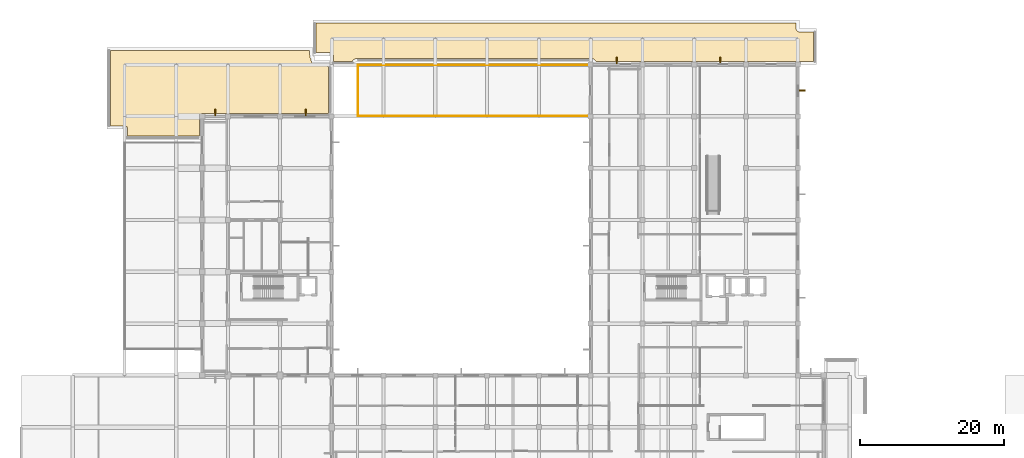
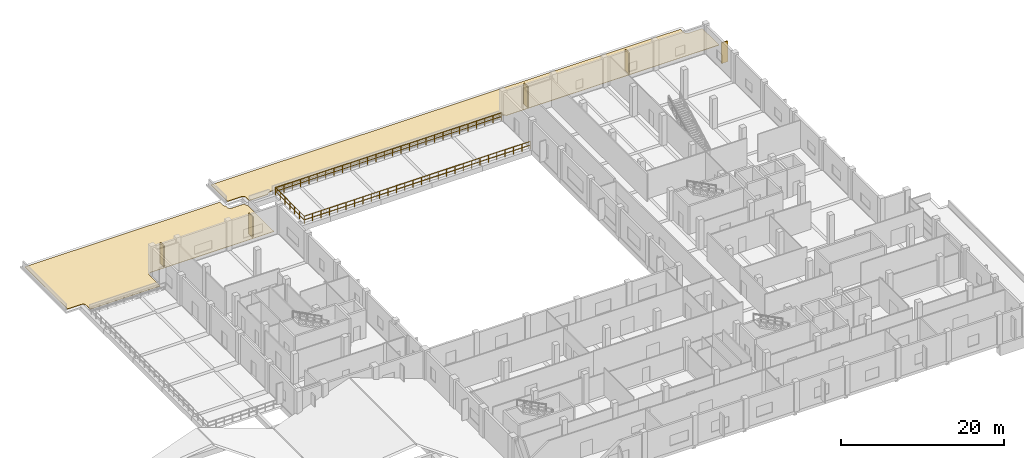
# One storey, part 24 of 24: 5 shading devices, 3 railings, 2 coverings.
"""IFC4 building model written with IfcOpenShell, lengths in metres."""

from ifc_helpers import new_model, si_unit, direction, frame, origin, origin_2d, place, context, subcontext, project, spatial, polyline, rectangle, circle, outline, extrude, material, layer, layer_set, type_object, element, save


model = new_model("IFC4")

# Units and contexts
model_context = context("Model", 3, precision=1e-05, world=origin(), true_north=direction((0.0, 1.0)))
body_context = subcontext(model_context, "Body", "Model", "MODEL_VIEW")
ifc_project = project(units=[si_unit("LENGTHUNIT", "METRE"), si_unit("AREAUNIT", "SQUARE_METRE"), si_unit("VOLUMEUNIT", "CUBIC_METRE"), si_unit("PLANEANGLEUNIT", "RADIAN"), si_unit("MASSUNIT", "GRAM", prefix="KILO")], contexts=[model_context])

# Site, building, storey
site_placement = place(None, origin())
site = spatial("IfcSite", under=ifc_project, at=site_placement, CompositionType="ELEMENT")
building_placement = place(site_placement, origin())
building = spatial("IfcBuilding", under=site, at=building_placement, Name="Seraya Terrace Polytechnic", CompositionType="ELEMENT")
storey_placement = place(building_placement, frame((0.0, 0.0, 18.89990234375)))
storey = spatial("IfcBuildingStorey", under=building, at=storey_placement, Name="L04", CompositionType="ELEMENT", Elevation=18.89990234375)

# Shading devices
ifc_material_1 = material(Name="Precast concrete C40/50", Category="concrete")
shading_device_type = type_object("IfcShadingDeviceType", Name="BS-F1", PredefinedType="JALOUSIE", material=ifc_material_1)
for number, where, z_axis, x_axis, name in (
    (1, (82.800048828125, 72.570068359375, 0.449951171875), (0.0, 0.0, 1.0), (0.0, 1.0, 0.0), "Precast concrete brise-soleil fin L04"),
    (2, (97.199951171875, 72.570068359375, 0.449951171875), (0.0, 0.0, 1.0), (0.0, 1.0, 0.0), "Precast concrete brise-soleil fin L04"),
    (3, (108.570068359375, 68.39990234375, 0.449951171875), (0.0, 0.0, 1.0), (1.0, 0.0, 0.0), "Precast concrete brise-soleil fin L04"),
    (4, (27.0, 65.3701171875, 0.449951171875), (0.0, 0.0, 1.0), (0.0, 1.0, 0.0), "Precast concrete brise-soleil fin L04"),
    (5, (39.60009765625, 65.3701171875, 0.449951171875), (0.0, 0.0, 1.0), (0.0, 1.0, 0.0), "Precast concrete brise-soleil fin L04"),
):
    element("IfcShadingDevice", number, at=place(storey_placement, frame(where, z_axis=z_axis, x_axis=x_axis)), inside=storey, type_object=shading_device_type, Name=name, PredefinedType="JALOUSIE", context=body_context, shape_type="SweptSolid", body=[
        extrude(rectangle(XDim=0.89990234375, YDim=0.14990234375, at=origin_2d()), origin(), (0.0, 0.0, 1.0), 3.10009765625),
    ])

# Railings
ifc_material_2 = material(Name="Steel S355J2", Category="steel")
railing_type = type_object("IfcRailingType", Name="GR-01", PredefinedType="GUARDRAIL", material=ifc_material_2)
railing_1_placement = place(storey_placement, frame((46.860107421875, 64.860107421875, 0.0)))
element("IfcRailing", 6, at=railing_1_placement, inside=storey, type_object=railing_type, Name="Terrace perimeter guardrail TERR-L04-NW S1", PredefinedType="GUARDRAIL", context=body_context, shape_type="SweptSolid", body=[
    extrude(circle(Radius=0.02392578125, at=origin_2d()), frame((0.0, 0.0, 1.10595703125), z_axis=(1.0, 0.0, 0.0), x_axis=(0.0, 1.0, 0.0)), (0.0, 0.0, 1.0), 32.099853515625),
    extrude(circle(Radius=0.02392578125, at=origin_2d()), frame((0.0, 0.0, 0.550048828125), z_axis=(1.0, 0.0, 0.0), x_axis=(0.0, 1.0, 0.0)), (0.0, 0.0, 1.0), 32.099853515625),
    extrude(circle(Radius=0.02099609375, at=origin_2d()), origin(), (0.0, 0.0, 1.0), 1.081787109375),
    extrude(circle(Radius=0.02099609375, at=origin_2d()), frame((1.18896484375, 0.0, 0.0)), (0.0, 0.0, 1.0), 1.081787109375),
    extrude(circle(Radius=0.02099609375, at=origin_2d()), frame((2.377685546875, 0.0, 0.0)), (0.0, 0.0, 1.0), 1.081787109375),
    extrude(circle(Radius=0.02099609375, at=origin_2d()), frame((3.566650390625, 0.0, 0.0)), (0.0, 0.0, 1.0), 1.081787109375),
    extrude(circle(Radius=0.02099609375, at=origin_2d()), frame((4.755615234375, 0.0, 0.0)), (0.0, 0.0, 1.0), 1.081787109375),
    extrude(circle(Radius=0.02099609375, at=origin_2d()), frame((5.9443359375, 0.0, 0.0)), (0.0, 0.0, 1.0), 1.081787109375),
    extrude(circle(Radius=0.02099609375, at=origin_2d()), frame((7.13330078125, 0.0, 0.0)), (0.0, 0.0, 1.0), 1.081787109375),
    extrude(circle(Radius=0.02099609375, at=origin_2d()), frame((8.322265625, 0.0, 0.0)), (0.0, 0.0, 1.0), 1.081787109375),
    extrude(circle(Radius=0.02099609375, at=origin_2d()), frame((9.510986328125, 0.0, 0.0)), (0.0, 0.0, 1.0), 1.081787109375),
    extrude(circle(Radius=0.02099609375, at=origin_2d()), frame((10.699951171875, 0.0, 0.0)), (0.0, 0.0, 1.0), 1.081787109375),
    extrude(circle(Radius=0.02099609375, at=origin_2d()), frame((11.888916015625, 0.0, 0.0)), (0.0, 0.0, 1.0), 1.081787109375),
    extrude(circle(Radius=0.02099609375, at=origin_2d()), frame((13.07763671875, 0.0, 0.0)), (0.0, 0.0, 1.0), 1.081787109375),
    extrude(circle(Radius=0.02099609375, at=origin_2d()), frame((14.2666015625, 0.0, 0.0)), (0.0, 0.0, 1.0), 1.081787109375),
    extrude(circle(Radius=0.02099609375, at=origin_2d()), frame((15.45556640625, 0.0, 0.0)), (0.0, 0.0, 1.0), 1.081787109375),
    extrude(circle(Radius=0.02099609375, at=origin_2d()), frame((16.644287109375, 0.0, 0.0)), (0.0, 0.0, 1.0), 1.081787109375),
    extrude(circle(Radius=0.02099609375, at=origin_2d()), frame((17.833251953125, 0.0, 0.0)), (0.0, 0.0, 1.0), 1.081787109375),
    extrude(circle(Radius=0.02099609375, at=origin_2d()), frame((19.022216796875, 0.0, 0.0)), (0.0, 0.0, 1.0), 1.081787109375),
    extrude(circle(Radius=0.02099609375, at=origin_2d()), frame((20.2109375, 0.0, 0.0)), (0.0, 0.0, 1.0), 1.081787109375),
    extrude(circle(Radius=0.02099609375, at=origin_2d()), frame((21.39990234375, 0.0, 0.0)), (0.0, 0.0, 1.0), 1.081787109375),
    extrude(circle(Radius=0.02099609375, at=origin_2d()), frame((22.5888671875, 0.0, 0.0)), (0.0, 0.0, 1.0), 1.081787109375),
    extrude(circle(Radius=0.02099609375, at=origin_2d()), frame((23.777587890625, 0.0, 0.0)), (0.0, 0.0, 1.0), 1.081787109375),
    extrude(circle(Radius=0.02099609375, at=origin_2d()), frame((24.966552734375, 0.0, 0.0)), (0.0, 0.0, 1.0), 1.081787109375),
    extrude(circle(Radius=0.02099609375, at=origin_2d()), frame((26.155517578125, 0.0, 0.0)), (0.0, 0.0, 1.0), 1.081787109375),
    extrude(circle(Radius=0.02099609375, at=origin_2d()), frame((27.34423828125, 0.0, 0.0)), (0.0, 0.0, 1.0), 1.081787109375),
    extrude(circle(Radius=0.02099609375, at=origin_2d()), frame((28.533203125, 0.0, 0.0)), (0.0, 0.0, 1.0), 1.081787109375),
    extrude(circle(Radius=0.02099609375, at=origin_2d()), frame((29.72216796875, 0.0, 0.0)), (0.0, 0.0, 1.0), 1.081787109375),
    extrude(circle(Radius=0.02099609375, at=origin_2d()), frame((30.910888671875, 0.0, 0.0)), (0.0, 0.0, 1.0), 1.081787109375),
    extrude(circle(Radius=0.02099609375, at=origin_2d()), frame((32.099853515625, 0.0, 0.0)), (0.0, 0.0, 1.0), 1.081787109375),
])
railing_2_placement = place(storey_placement, frame((78.9599609375, 71.93994140625, 0.0)))
element("IfcRailing", 7, at=railing_2_placement, inside=storey, type_object=railing_type, Name="Terrace perimeter guardrail TERR-L04-NW N1", PredefinedType="GUARDRAIL", context=body_context, shape_type="SweptSolid", body=[
    extrude(circle(Radius=0.02392578125, at=origin_2d()), frame((0.0, 0.0, 1.10595703125), z_axis=(-1.0, 0.0, 0.0), x_axis=(0.0, -1.0, 0.0)), (0.0, 0.0, 1.0), 32.099853515625),
    extrude(circle(Radius=0.02392578125, at=origin_2d()), frame((0.0, 0.0, 0.550048828125), z_axis=(-1.0, 0.0, 0.0), x_axis=(0.0, -1.0, 0.0)), (0.0, 0.0, 1.0), 32.099853515625),
    extrude(circle(Radius=0.02099609375, at=origin_2d()), origin(), (0.0, 0.0, 1.0), 1.081787109375),
    extrude(circle(Radius=0.02099609375, at=origin_2d()), frame((-1.18896484375, 0.0, 0.0)), (0.0, 0.0, 1.0), 1.081787109375),
    extrude(circle(Radius=0.02099609375, at=origin_2d()), frame((-2.377685546875, 0.0, 0.0)), (0.0, 0.0, 1.0), 1.081787109375),
    extrude(circle(Radius=0.02099609375, at=origin_2d()), frame((-3.566650390625, 0.0, 0.0)), (0.0, 0.0, 1.0), 1.081787109375),
    extrude(circle(Radius=0.02099609375, at=origin_2d()), frame((-4.755615234375, 0.0, 0.0)), (0.0, 0.0, 1.0), 1.081787109375),
    extrude(circle(Radius=0.02099609375, at=origin_2d()), frame((-5.9443359375, 0.0, 0.0)), (0.0, 0.0, 1.0), 1.081787109375),
    extrude(circle(Radius=0.02099609375, at=origin_2d()), frame((-7.13330078125, 0.0, 0.0)), (0.0, 0.0, 1.0), 1.081787109375),
    extrude(circle(Radius=0.02099609375, at=origin_2d()), frame((-8.322265625, 0.0, 0.0)), (0.0, 0.0, 1.0), 1.081787109375),
    extrude(circle(Radius=0.02099609375, at=origin_2d()), frame((-9.510986328125, 0.0, 0.0)), (0.0, 0.0, 1.0), 1.081787109375),
    extrude(circle(Radius=0.02099609375, at=origin_2d()), frame((-10.699951171875, 0.0, 0.0)), (0.0, 0.0, 1.0), 1.081787109375),
    extrude(circle(Radius=0.02099609375, at=origin_2d()), frame((-11.888916015625, 0.0, 0.0)), (0.0, 0.0, 1.0), 1.081787109375),
    extrude(circle(Radius=0.02099609375, at=origin_2d()), frame((-13.07763671875, 0.0, 0.0)), (0.0, 0.0, 1.0), 1.081787109375),
    extrude(circle(Radius=0.02099609375, at=origin_2d()), frame((-14.2666015625, 0.0, 0.0)), (0.0, 0.0, 1.0), 1.081787109375),
    extrude(circle(Radius=0.02099609375, at=origin_2d()), frame((-15.45556640625, 0.0, 0.0)), (0.0, 0.0, 1.0), 1.081787109375),
    extrude(circle(Radius=0.02099609375, at=origin_2d()), frame((-16.644287109375, 0.0, 0.0)), (0.0, 0.0, 1.0), 1.081787109375),
    extrude(circle(Radius=0.02099609375, at=origin_2d()), frame((-17.833251953125, 0.0, 0.0)), (0.0, 0.0, 1.0), 1.081787109375),
    extrude(circle(Radius=0.02099609375, at=origin_2d()), frame((-19.022216796875, 0.0, 0.0)), (0.0, 0.0, 1.0), 1.081787109375),
    extrude(circle(Radius=0.02099609375, at=origin_2d()), frame((-20.2109375, 0.0, 0.0)), (0.0, 0.0, 1.0), 1.081787109375),
    extrude(circle(Radius=0.02099609375, at=origin_2d()), frame((-21.39990234375, 0.0, 0.0)), (0.0, 0.0, 1.0), 1.081787109375),
    extrude(circle(Radius=0.02099609375, at=origin_2d()), frame((-22.5888671875, 0.0, 0.0)), (0.0, 0.0, 1.0), 1.081787109375),
    extrude(circle(Radius=0.02099609375, at=origin_2d()), frame((-23.777587890625, 0.0, 0.0)), (0.0, 0.0, 1.0), 1.081787109375),
    extrude(circle(Radius=0.02099609375, at=origin_2d()), frame((-24.966552734375, 0.0, 0.0)), (0.0, 0.0, 1.0), 1.081787109375),
    extrude(circle(Radius=0.02099609375, at=origin_2d()), frame((-26.155517578125, 0.0, 0.0)), (0.0, 0.0, 1.0), 1.081787109375),
    extrude(circle(Radius=0.02099609375, at=origin_2d()), frame((-27.34423828125, 0.0, 0.0)), (0.0, 0.0, 1.0), 1.081787109375),
    extrude(circle(Radius=0.02099609375, at=origin_2d()), frame((-28.533203125, 0.0, 0.0)), (0.0, 0.0, 1.0), 1.081787109375),
    extrude(circle(Radius=0.02099609375, at=origin_2d()), frame((-29.72216796875, 0.0, 0.0)), (0.0, 0.0, 1.0), 1.081787109375),
    extrude(circle(Radius=0.02099609375, at=origin_2d()), frame((-30.910888671875, 0.0, 0.0)), (0.0, 0.0, 1.0), 1.081787109375),
    extrude(circle(Radius=0.02099609375, at=origin_2d()), frame((-32.099853515625, 0.0, 0.0)), (0.0, 0.0, 1.0), 1.081787109375),
])
railing_3_placement = place(storey_placement, frame((46.860107421875, 71.93994140625, 0.0)))
element("IfcRailing", 8, at=railing_3_placement, inside=storey, type_object=railing_type, Name="Terrace perimeter guardrail TERR-L04-NW W1", PredefinedType="GUARDRAIL", context=body_context, shape_type="SweptSolid", body=[
    extrude(circle(Radius=0.02392578125, at=origin_2d()), frame((0.0, 0.0, 1.10595703125), z_axis=(0.0, -1.0, 0.0), x_axis=(1.0, 0.0, 0.0)), (0.0, 0.0, 1.0), 7.079833984375),
    extrude(circle(Radius=0.02392578125, at=origin_2d()), frame((0.0, 0.0, 0.550048828125), z_axis=(0.0, -1.0, 0.0), x_axis=(1.0, 0.0, 0.0)), (0.0, 0.0, 1.0), 7.079833984375),
    extrude(circle(Radius=0.02099609375, at=origin_2d()), origin(), (0.0, 0.0, 1.0), 1.081787109375),
    extrude(circle(Radius=0.02099609375, at=origin_2d()), frame((0.0, -1.179931640625, 0.0)), (0.0, 0.0, 1.0), 1.081787109375),
    extrude(circle(Radius=0.02099609375, at=origin_2d()), frame((0.0, -2.35986328125, 0.0)), (0.0, 0.0, 1.0), 1.081787109375),
    extrude(circle(Radius=0.02099609375, at=origin_2d()), frame((0.0, -3.5400390625, 0.0)), (0.0, 0.0, 1.0), 1.081787109375),
    extrude(circle(Radius=0.02099609375, at=origin_2d()), frame((0.0, -4.719970703125, 0.0)), (0.0, 0.0, 1.0), 1.081787109375),
    extrude(circle(Radius=0.02099609375, at=origin_2d()), frame((0.0, -5.89990234375, 0.0)), (0.0, 0.0, 1.0), 1.081787109375),
    extrude(circle(Radius=0.02099609375, at=origin_2d()), frame((0.0, -7.079833984375, 0.0)), (0.0, 0.0, 1.0), 1.081787109375),
])

# Coverings
ifc_material_3 = material(Name="Insulated TPO waterproof roofing membrane")
ifc_layer = layer(ifc_material_3, 0.06005859375, Name="RF-C1")
ifc_layer_set = layer_set([ifc_layer], Name="Insulated TPO waterproof roofing membrane")
covering_type = type_object("IfcCoveringType", Name="RF-C1", PredefinedType="ROOFING", material=ifc_layer_set)
covering_1_placement = place(storey_placement, origin())
element("IfcCovering", 9, at=covering_1_placement, inside=storey, type_object=covering_type, Name="Waterproof TPO roof covering ROOF-L04-NWRIM", PredefinedType="ROOFING", context=body_context, shape_type="SweptSolid", body=[
    extrude(outline(polyline([(43.449951171875, 72.449951171875), (43.44140625, 73.287841796875), (43.374267578125, 73.449951171875), (43.285400390625, 73.5478515625), (43.212158203125, 73.596923828125), (43.087890625, 73.641357421875), (43.0, 73.64990234375), (41.050048828125, 73.64990234375), (41.050048828125, 77.75), (107.75, 77.75), (107.758544921875, 76.912109375), (107.82568359375, 76.75), (107.91455078125, 76.652099609375), (107.98779296875, 76.60302734375), (108.1123046875, 76.55859375), (108.199951171875, 76.550048828125), (110.14990234375, 76.550048828125), (110.14990234375, 72.449951171875), (79.943359375, 72.449951171875), (79.815185546875, 72.615234375), (79.6455078125, 72.74609375), (79.532958984375, 72.8037109375), (79.41259765625, 72.842529296875), (79.199951171875, 72.8701171875), (46.800048828125, 72.8701171875), (46.58740234375, 72.842529296875), (46.467041015625, 72.8037109375), (46.3544921875, 72.74609375), (46.184814453125, 72.615234375), (46.056640625, 72.449951171875), (43.449951171875, 72.449951171875)])), origin(), (0.0, 0.0, 1.0), 0.06005859375),
])
covering_2_placement = place(storey_placement, origin())
element("IfcCovering", 10, at=covering_2_placement, inside=storey, type_object=covering_type, Name="Waterproof TPO roof covering ROOF-L04-WEST", PredefinedType="ROOFING", context=body_context, shape_type="SweptSolid", body=[
    extrude(outline(polyline([(40.35009765625, 72.822509765625), (40.35009765625, 72.552001953125), (40.369384765625, 72.42138671875), (40.4521484375, 72.2666015625), (40.587890625, 72.155029296875), (40.712158203125, 72.110595703125), (40.800048828125, 72.10205078125), (42.54541015625, 72.10205078125), (42.547607421875, 71.9541015625), (42.5791015625, 71.8271484375), (42.645751953125, 71.71484375), (42.75, 71.621337890625), (42.75, 65.195068359375), (25.171875, 65.186279296875), (25.047607421875, 65.14208984375), (24.94140625, 65.0634765625), (24.86279296875, 64.95751953125), (24.811767578125, 64.789794921875), (24.8056640625, 62.066162109375), (14.85009765625, 62.06982421875), (14.84130859375, 63.1357421875), (14.796875, 63.260009765625), (14.747802734375, 63.33349609375), (14.612060546875, 63.44482421875), (14.530517578125, 63.478515625), (14.39990234375, 63.498046875), (12.449951171875, 63.498046875), (12.449951171875, 73.949951171875), (40.14501953125, 73.949951171875), (40.1533203125, 73.11279296875), (40.21875, 72.95263671875), (40.35009765625, 72.822509765625)])), origin(), (0.0, 0.0, 1.0), 0.06005859375),
])

save(model, "model.ifc")
